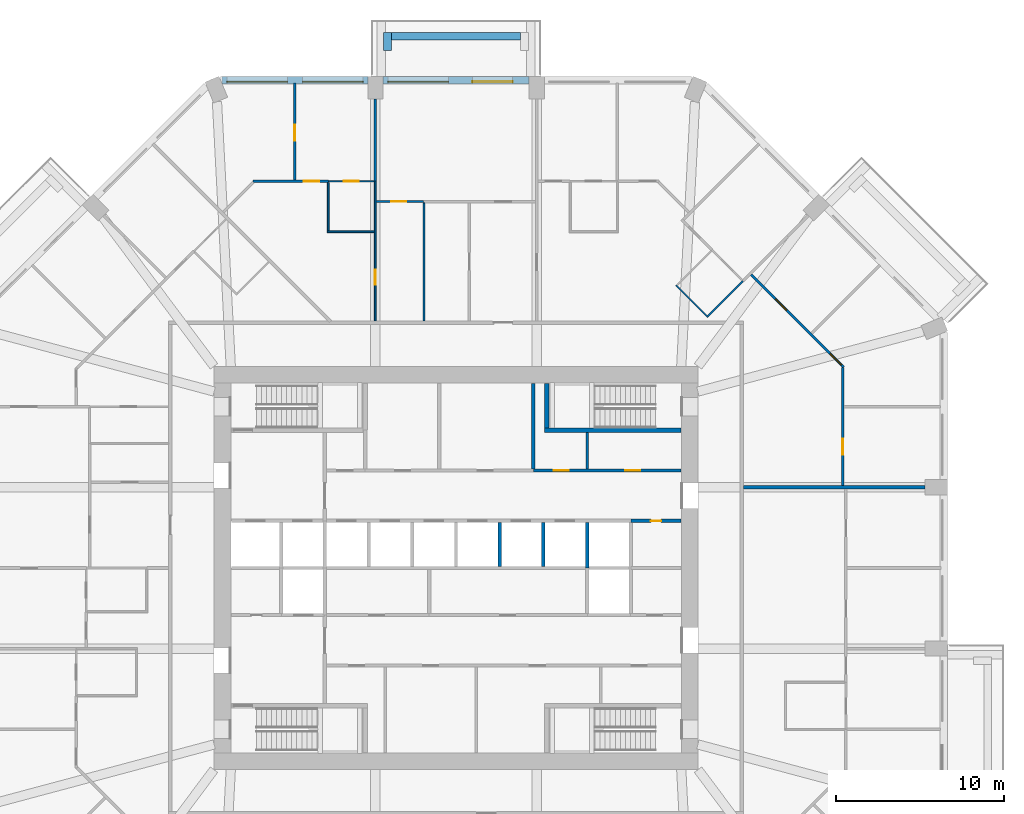
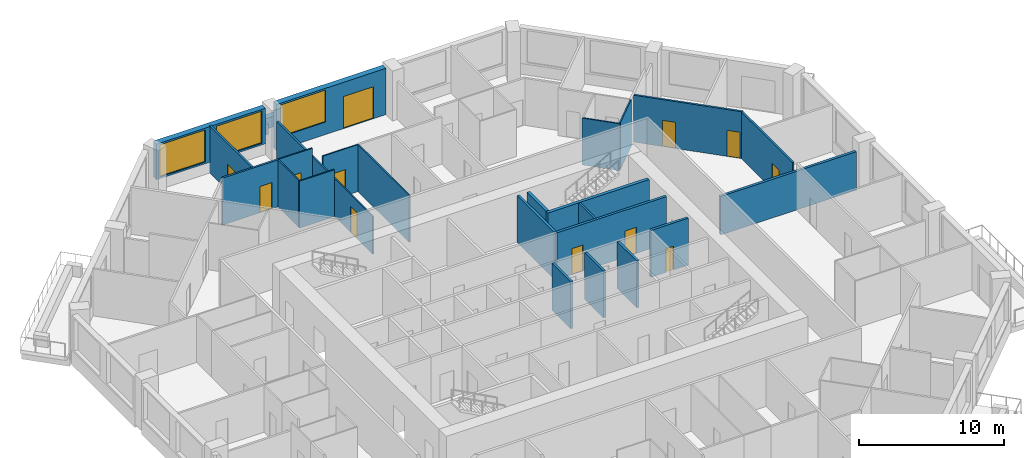
# One storey, part 9 of 13: 27 walls, 12 doors, 3 windows, 15 openings.
"""IFC4 building model written with IfcOpenShell, lengths in metres."""

from ifc_helpers import new_model, si_unit, direction, frame, frame_2d, origin, place, context, subcontext, project, spatial, rectangle, extrude, material, layer, layer_set, type_object, element, fill, save


model = new_model("IFC4")

# Units and contexts
model_context = context("Model", 3, precision=1e-05, world=origin(), true_north=direction((0.0, 1.0)))
body_context = subcontext(model_context, "Body", "Model", "MODEL_VIEW")
ifc_project = project(units=[si_unit("LENGTHUNIT", "METRE"), si_unit("AREAUNIT", "SQUARE_METRE"), si_unit("VOLUMEUNIT", "CUBIC_METRE"), si_unit("PLANEANGLEUNIT", "RADIAN"), si_unit("MASSUNIT", "GRAM", prefix="KILO")], contexts=[model_context])

# Site, building, storey
site_placement = place(None, origin())
site = spatial("IfcSite", under=ifc_project, at=site_placement, CompositionType="ELEMENT")
building_placement = place(site_placement, origin())
building = spatial("IfcBuilding", under=site, at=building_placement, Name="Msitu Wima Residences", CompositionType="ELEMENT")
storey_placement = place(building_placement, frame((0.0, 0.0, 80.10009765625)))
storey = spatial("IfcBuildingStorey", under=building, at=storey_placement, Name="L18", CompositionType="ELEMENT", Elevation=80.10009765625)

# Walls
ifc_material_1 = material(Name="Facing brick")
ifc_layer_1 = layer(ifc_material_1, 0.06494140625, Name="Facing brick")
ifc_material_2 = material(Name="Concrete C40/50", Category="concrete")
ifc_layer_2 = layer(ifc_material_2, 0.156005859375, Name="Concrete C40/50")
ifc_material_3 = material(Name="Waterproofing membrane")
ifc_layer_3 = layer(ifc_material_3, 0.00390625, Name="Waterproofing membrane")
ifc_material_4 = material(Name="Planting soil and planting")
ifc_layer_4 = layer(ifc_material_4, 0.22509765625, Name="Planting soil and planting")
ifc_layer_set_1 = layer_set([ifc_layer_1, ifc_layer_2, ifc_layer_3, ifc_layer_4], Name="Concrete C40/50")
wall_type_1 = type_object("IfcWallType", Name="Balcony planter PLANTER PL450", PredefinedType="USERDEFINED", material=ifc_layer_set_1)
wall_1_placement = place(storey_placement, frame((3.85009765625, 31.625, 0.0), z_axis=(0.0, 0.0, 1.0), x_axis=(-1.0, 0.0, 0.0)))
element("IfcWall", 1, at=wall_1_placement, inside=storey, type_object=wall_type_1, Name="Balcony planter N1 L18", ObjectType="PLANTER", PredefinedType="USERDEFINED", context=body_context, shape_type="SweptSolid", body=[
    extrude(rectangle(XDim=7.7001953125, YDim=0.449951171875, at=frame_2d((3.85009765625, 0.0))), origin(), (0.0, 0.0, 1.0), 0.89990234375),
])
wall_2_placement = place(storey_placement, frame((-4.074951171875, 30.800048828125, 0.0), z_axis=(0.0, 0.0, 1.0), x_axis=(0.0, 1.0, 0.0)))
element("IfcWall", 2, at=wall_2_placement, inside=storey, type_object=wall_type_1, Name="Balcony planter N1 L18", ObjectType="PLANTER", PredefinedType="USERDEFINED", context=body_context, shape_type="SweptSolid", body=[
    extrude(rectangle(XDim=1.050048828125, YDim=0.449951171875, at=frame_2d((0.52490234375, 0.0))), origin(), (0.0, 0.0, 1.0), 0.89990234375),
])

# Wall, openings, door, window
ifc_material_5 = material(Name="Brick (red buff mix)", Category="masonry")
ifc_layer_5 = layer(ifc_material_5, 0.449951171875)
ifc_layer_set_2 = layer_set([ifc_layer_5], Name="Brick (red buff mix)")
wall_type_2 = type_object("IfcWallType", Name="Brick infill wall BW450", PredefinedType="SOLIDWALL", material=ifc_layer_set_2)
wall_3_placement = place(storey_placement, frame((4.35009765625, 29.02490234375, 0.0), z_axis=(0.0, 0.0, 1.0), x_axis=(-1.0, 0.0, 0.0)))
wall_3 = element("IfcWall", 3, at=wall_3_placement, inside=storey, type_object=wall_type_2, Name="Brick infill wall L18 N1", PredefinedType="SOLIDWALL", context=body_context, shape_type="SweptSolid", body=[
    extrude(rectangle(XDim=8.7001953125, YDim=0.449951171875, at=frame_2d((4.35009765625, 0.0))), origin(), (0.0, 0.0, 1.0), 3.89990234375),
])
opening_1_placement = place(wall_3_placement, frame((0.97509765625, 0.0, 0.0)))
opening_1 = element("IfcOpeningElement", 4, at=opening_1_placement, cuts=wall_3, Name="Opening D18-20.002", PredefinedType="OPENING", context=body_context, shape_type="SweptSolid", body=[
    extrude(rectangle(XDim=2.39990234375, YDim=2.699951171875, at=frame_2d((1.199951171875, 1.35009765625))), frame((0.0, 0.23486328125, 0.0), z_axis=(0.0, -1.0, 0.0), x_axis=(1.0, 0.0, 0.0)), (0.0, 0.0, 1.0), 0.469970703125),
])
opening_2_placement = place(wall_3_placement, frame((4.800048828125, 0.0, 1.050048828125)))
opening_2 = element("IfcOpeningElement", 5, at=opening_2_placement, cuts=wall_3, Name="Opening W18-20.008", PredefinedType="OPENING", context=body_context, shape_type="SweptSolid", body=[
    extrude(rectangle(XDim=3.60009765625, YDim=2.699951171875, at=frame_2d((1.800048828125, 1.35009765625))), frame((0.0, 0.23486328125, 0.0), z_axis=(0.0, -1.0, 0.0), x_axis=(1.0, 0.0, 0.0)), (0.0, 0.0, 1.0), 0.469970703125),
])
ifc_material_6 = material(Name="Anodised aluminium, bronze finish, clear low-emissivity double glazing", Category="aluminium")
door_type_1 = type_object("IfcDoorType", Name="Balcony door D2400x2700", OperationType="SLIDING_TO_LEFT", PredefinedType="DOOR", material=ifc_material_6)
door_1_placement = place(opening_1_placement, origin())
door_1 = element("IfcDoor", 6, at=door_1_placement, inside=storey, type_object=door_type_1, Name="Balcony door L18 N1", OperationType="SINGLE_SWING_LEFT", OverallHeight=2.699951171875, OverallWidth=2.39990234375, PredefinedType="DOOR", context=body_context, shape_type="SweptSolid", body=[
    extrude(rectangle(XDim=2.39990234375, YDim=2.699951171875, at=frame_2d((1.199951171875, 1.35009765625))), frame((0.0, 0.1298828125, 0.0), z_axis=(0.0, -1.0, 0.0), x_axis=(1.0, 0.0, 0.0)), (0.0, 0.0, 1.0), 0.050048828125),
])
fill(opening_1, door_1)
window_type = type_object("IfcWindowType", Name="Window W3600x2700", PartitioningType="DOUBLE_PANEL_VERTICAL", PredefinedType="WINDOW", material=ifc_material_6)
window_1_placement = place(opening_2_placement, origin())
window_1 = element("IfcWindow", 7, at=window_1_placement, inside=storey, type_object=window_type, Name="Window L18 N1.2", OverallHeight=2.699951171875, OverallWidth=3.60009765625, PartitioningType="SINGLE_PANEL", PredefinedType="WINDOW", context=body_context, shape_type="SweptSolid", body=[
    extrude(rectangle(XDim=3.60009765625, YDim=2.699951171875, at=frame_2d((1.800048828125, 1.35009765625))), frame((0.0, 0.135009765625, 0.0), z_axis=(0.0, -1.0, 0.0), x_axis=(1.0, 0.0, 0.0)), (0.0, 0.0, 1.0), 0.06005859375),
])
fill(opening_2, window_1)

# Wall, openings, windows
wall_4_placement = place(storey_placement, frame((-5.25, 29.02490234375, 0.89990234375), z_axis=(0.0, 0.0, 1.0), x_axis=(-1.0, 0.0, 0.0)))
wall_4 = element("IfcWall", 8, at=wall_4_placement, inside=storey, type_object=wall_type_2, Name="Brick infill wall L18 N2", PredefinedType="SOLIDWALL", context=body_context, shape_type="SweptSolid", body=[
    extrude(rectangle(XDim=8.662841796875, YDim=0.449951171875, at=frame_2d((4.33154296875, 0.0))), origin(), (0.0, 0.0, 1.0), 3.0),
])
opening_3_placement = place(wall_4_placement, frame((0.281494140625, 0.0, 0.14990234375)))
opening_3 = element("IfcOpeningElement", 9, at=opening_3_placement, cuts=wall_4, Name="Opening W18-20.009", PredefinedType="OPENING", context=body_context, shape_type="SweptSolid", body=[
    extrude(rectangle(XDim=3.60009765625, YDim=2.699951171875, at=frame_2d((1.800048828125, 1.35009765625))), frame((0.0, 0.23486328125, 0.0), z_axis=(0.0, -1.0, 0.0), x_axis=(1.0, 0.0, 0.0)), (0.0, 0.0, 1.0), 0.469970703125),
])
opening_4_placement = place(wall_4_placement, frame((4.781494140625, 0.0, 0.14990234375)))
opening_4 = element("IfcOpeningElement", 10, at=opening_4_placement, cuts=wall_4, Name="Opening W18-20.010", PredefinedType="OPENING", context=body_context, shape_type="SweptSolid", body=[
    extrude(rectangle(XDim=3.60009765625, YDim=2.699951171875, at=frame_2d((1.800048828125, 1.35009765625))), frame((0.0, 0.23486328125, 0.0), z_axis=(0.0, -1.0, 0.0), x_axis=(1.0, 0.0, 0.0)), (0.0, 0.0, 1.0), 0.469970703125),
])
window_2_placement = place(opening_3_placement, origin())
window_2 = element("IfcWindow", 11, at=window_2_placement, inside=storey, type_object=window_type, Name="Window L18 N2.1", OverallHeight=2.699951171875, OverallWidth=3.60009765625, PartitioningType="SINGLE_PANEL", PredefinedType="WINDOW", context=body_context, shape_type="SweptSolid", body=[
    extrude(rectangle(XDim=3.60009765625, YDim=2.699951171875, at=frame_2d((1.800048828125, 1.35009765625))), frame((0.0, 0.135009765625, 0.0), z_axis=(0.0, -1.0, 0.0), x_axis=(1.0, 0.0, 0.0)), (0.0, 0.0, 1.0), 0.06005859375),
])
fill(opening_3, window_2)
window_3_placement = place(opening_4_placement, origin())
window_3 = element("IfcWindow", 12, at=window_3_placement, inside=storey, type_object=window_type, Name="Window L18 N2.2", OverallHeight=2.699951171875, OverallWidth=3.60009765625, PartitioningType="SINGLE_PANEL", PredefinedType="WINDOW", context=body_context, shape_type="SweptSolid", body=[
    extrude(rectangle(XDim=3.60009765625, YDim=2.699951171875, at=frame_2d((1.800048828125, 1.35009765625))), frame((0.0, 0.135009765625, 0.0), z_axis=(0.0, -1.0, 0.0), x_axis=(1.0, 0.0, 0.0)), (0.0, 0.0, 1.0), 0.06005859375),
])
fill(opening_4, window_3)

# Wall, openings, doors
ifc_material_7 = material(Name="Plaster")
ifc_layer_6 = layer(ifc_material_7, 0.011962890625, Name="Plaster")
ifc_material_8 = material(Name="Concrete blockwork", Category="masonry")
ifc_layer_7 = layer(ifc_material_8, 0.176025390625, Name="Concrete blockwork")
ifc_layer_8 = layer(ifc_material_7, 0.011962890625, Name="Plaster")
ifc_layer_set_3 = layer_set([ifc_layer_6, ifc_layer_7, ifc_layer_8], Name="Concrete blockwork")
wall_type_3 = type_object("IfcWallType", Name="Corridor wall FW200", PredefinedType="PARTITIONING", material=ifc_layer_set_3)
wall_5_placement = place(storey_placement, frame((4.6201171875, 5.800048828125, 0.0), z_axis=(0.0, 0.0, 1.0), x_axis=(1.0, 0.0, 0.0)))
wall_5 = element("IfcWall", 13, at=wall_5_placement, inside=storey, type_object=wall_type_3, Name="Corridor wall", PredefinedType="PARTITIONING", context=body_context, shape_type="SweptSolid", body=[
    extrude(rectangle(XDim=8.75, YDim=0.199951171875, at=frame_2d((4.375, 0.0))), origin(), (0.0, 0.0, 1.0), 3.949951171875),
])
opening_5_placement = place(wall_5_placement, frame((1.199951171875, 0.0, 0.0)))
opening_5 = element("IfcOpeningElement", 14, at=opening_5_placement, cuts=wall_5, Name="Opening D18-20.019", PredefinedType="OPENING", context=body_context, shape_type="SweptSolid", body=[
    extrude(rectangle(XDim=0.89990234375, YDim=2.199951171875, at=frame_2d((0.449951171875, 1.10009765625))), frame((0.0, 0.10986328125, 0.0), z_axis=(0.0, -1.0, 0.0), x_axis=(1.0, 0.0, 0.0)), (0.0, 0.0, 1.0), 0.219970703125),
])
opening_6_placement = place(wall_5_placement, frame((5.449951171875, 0.0, 0.0)))
opening_6 = element("IfcOpeningElement", 15, at=opening_6_placement, cuts=wall_5, Name="Opening D18-20.020", PredefinedType="OPENING", context=body_context, shape_type="SweptSolid", body=[
    extrude(rectangle(XDim=0.89990234375, YDim=2.199951171875, at=frame_2d((0.449951171875, 1.10009765625))), frame((0.0, 0.10986328125, 0.0), z_axis=(0.0, -1.0, 0.0), x_axis=(1.0, 0.0, 0.0)), (0.0, 0.0, 1.0), 0.219970703125),
])
ifc_material_9 = material(Name="Timber flush door", Category="wood")
door_type_2 = type_object("IfcDoorType", Name="Service door D05 900x2200", OperationType="SINGLE_SWING_LEFT", PredefinedType="DOOR", material=ifc_material_9)
door_2_placement = place(opening_5_placement, origin())
door_2 = element("IfcDoor", 16, at=door_2_placement, inside=storey, type_object=door_type_2, Name="Service door", OperationType="SINGLE_SWING_RIGHT", OverallHeight=2.199951171875, OverallWidth=0.89990234375, PredefinedType="DOOR", context=body_context, shape_type="SweptSolid", body=[
    extrude(rectangle(XDim=0.89990234375, YDim=2.199951171875, at=frame_2d((0.449951171875, 1.10009765625))), frame((0.0, 0.02490234375, 0.0), z_axis=(0.0, -1.0, 0.0), x_axis=(1.0, 0.0, 0.0)), (0.0, 0.0, 1.0), 0.050048828125),
])
fill(opening_5, door_2)
door_3_placement = place(opening_6_placement, origin())
door_3 = element("IfcDoor", 17, at=door_3_placement, inside=storey, type_object=door_type_2, Name="Service door", OperationType="SINGLE_SWING_LEFT", OverallHeight=2.199951171875, OverallWidth=0.89990234375, PredefinedType="DOOR", context=body_context, shape_type="SweptSolid", body=[
    extrude(rectangle(XDim=0.89990234375, YDim=2.199951171875, at=frame_2d((0.449951171875, 1.10009765625))), frame((0.0, 0.02490234375, 0.0), z_axis=(0.0, -1.0, 0.0), x_axis=(1.0, 0.0, 0.0)), (0.0, 0.0, 1.0), 0.050048828125),
])
fill(opening_6, door_3)

# Wall, opening, door
ifc_layer_9 = layer(ifc_material_7, 0.011962890625, Name="Plaster")
ifc_layer_10 = layer(ifc_material_8, 0.1259765625, Name="Concrete blockwork")
ifc_layer_11 = layer(ifc_material_7, 0.011962890625, Name="Plaster")
ifc_layer_set_4 = layer_set([ifc_layer_9, ifc_layer_10, ifc_layer_11], Name="Concrete blockwork")
wall_type_4 = type_object("IfcWallType", Name="Partition PW150", PredefinedType="PARTITIONING", material=ifc_layer_set_4)
wall_6_placement = place(storey_placement, frame((-12.072509765625, 23.0, 0.0), z_axis=(0.0, 0.0, 1.0), x_axis=(1.0, 0.0, 0.0)))
wall_6 = element("IfcWall", 18, at=wall_6_placement, inside=storey, type_object=wall_type_4, Name="Partition", PredefinedType="PARTITIONING", context=body_context, shape_type="SweptSolid", body=[
    extrude(rectangle(XDim=4.492431640625, YDim=0.14990234375, at=frame_2d((2.24609375, 0.0))), origin(), (0.0, 0.0, 1.0), 3.949951171875),
])
opening_7_placement = place(wall_6_placement, frame((3.0, 0.0, 0.0)))
opening_7 = element("IfcOpeningElement", 19, at=opening_7_placement, cuts=wall_6, Name="Opening D18-20.042", PredefinedType="OPENING", context=body_context, shape_type="SweptSolid", body=[
    extrude(rectangle(XDim=0.949951171875, YDim=2.199951171875, at=frame_2d((0.47509765625, 1.10009765625))), frame((0.0, 0.0849609375, 0.0), z_axis=(0.0, -1.0, 0.0), x_axis=(1.0, 0.0, 0.0)), (0.0, 0.0, 1.0), 0.169921875),
])
door_type_3 = type_object("IfcDoorType", Name="Room door D12 950x2200", OperationType="SINGLE_SWING_LEFT", PredefinedType="DOOR", material=ifc_material_9)
door_4_placement = place(opening_7_placement, origin())
door_4 = element("IfcDoor", 20, at=door_4_placement, inside=storey, type_object=door_type_3, Name="Room door", OperationType="SINGLE_SWING_LEFT", OverallHeight=2.199951171875, OverallWidth=0.949951171875, PredefinedType="DOOR", context=body_context, shape_type="SweptSolid", body=[
    extrude(rectangle(XDim=0.949951171875, YDim=2.199951171875, at=frame_2d((0.47509765625, 1.10009765625))), frame((0.0, 0.02490234375, 0.0), z_axis=(0.0, -1.0, 0.0), x_axis=(1.0, 0.0, 0.0)), (0.0, 0.0, 1.0), 0.050048828125),
])
fill(opening_7, door_4)

wall_7_placement = place(storey_placement, frame((-9.60009765625, 23.074951171875, 0.0), z_axis=(0.0, 0.0, 1.0), x_axis=(0.0, 1.0, 0.0)))
wall_7 = element("IfcWall", 21, at=wall_7_placement, inside=storey, type_object=wall_type_4, Name="Partition", PredefinedType="PARTITIONING", context=body_context, shape_type="SweptSolid", body=[
    extrude(rectangle(XDim=5.780029296875, YDim=0.14990234375, at=frame_2d((2.89013671875, 0.0))), origin(), (0.0, 0.0, 1.0), 3.949951171875),
])
opening_8_placement = place(wall_7_placement, frame((2.35009765625, 0.0, 0.0)))
opening_8 = element("IfcOpeningElement", 22, at=opening_8_placement, cuts=wall_7, Name="Opening D18-20.044", PredefinedType="OPENING", context=body_context, shape_type="SweptSolid", body=[
    extrude(rectangle(XDim=0.949951171875, YDim=2.199951171875, at=frame_2d((0.47509765625, 1.10009765625))), frame((0.0, 0.0849609375, 0.0), z_axis=(0.0, -1.0, 0.0), x_axis=(1.0, 0.0, 0.0)), (0.0, 0.0, 1.0), 0.169921875),
])
door_5_placement = place(opening_8_placement, origin())
door_5 = element("IfcDoor", 23, at=door_5_placement, inside=storey, type_object=door_type_3, Name="Room door", OperationType="SINGLE_SWING_LEFT", OverallHeight=2.199951171875, OverallWidth=0.949951171875, PredefinedType="DOOR", context=body_context, shape_type="SweptSolid", body=[
    extrude(rectangle(XDim=0.949951171875, YDim=2.199951171875, at=frame_2d((0.47509765625, 1.10009765625))), frame((0.0, 0.02490234375, 0.0), z_axis=(0.0, -1.0, 0.0), x_axis=(1.0, 0.0, 0.0)), (0.0, 0.0, 1.0), 0.050048828125),
])
fill(opening_8, door_5)

# Walls
wall_8_placement = place(storey_placement, frame((-4.800048828125, 23.02001953125, 0.0), z_axis=(0.0, 0.0, 1.0), x_axis=(0.0, 1.0, 0.0)))
element("IfcWall", 24, at=wall_8_placement, inside=storey, type_object=wall_type_4, Name="Partition", PredefinedType="PARTITIONING", context=body_context, shape_type="SweptSolid", body=[
    extrude(rectangle(XDim=4.8798828125, YDim=0.14990234375, at=frame_2d((2.43994140625, 0.0))), origin(), (0.0, 0.0, 1.0), 3.199951171875),
])
wall_9_placement = place(storey_placement, frame((7.800048828125, 5.89990234375, 0.0), z_axis=(0.0, 0.0, 1.0), x_axis=(0.0, 1.0, 0.0)))
element("IfcWall", 25, at=wall_9_placement, inside=storey, type_object=wall_type_4, Name="Partition", PredefinedType="PARTITIONING", context=body_context, shape_type="SweptSolid", body=[
    extrude(rectangle(XDim=2.175048828125, YDim=0.14990234375, at=frame_2d((1.08740234375, 0.0))), origin(), (0.0, 0.0, 1.0), 3.949951171875),
])

# Wall, openings, doors
wall_10_placement = place(storey_placement, frame((17.5517578125, 17.44580078125, 0.0), z_axis=(0.0, 0.0, 1.0), x_axis=(0.707106781187, -0.707106781187, 0.0)))
wall_10 = element("IfcWall", 26, at=wall_10_placement, inside=storey, type_object=wall_type_4, Name="Partition", PredefinedType="PARTITIONING", context=body_context, shape_type="SweptSolid", body=[
    extrude(rectangle(XDim=7.77978515625, YDim=0.14990234375, at=frame_2d((3.889892578125, 0.0))), origin(), (0.0, 0.0, 1.0), 3.949951171875),
])
opening_9_placement = place(wall_10_placement, frame((2.050048828125, 0.0, 0.0)))
opening_9 = element("IfcOpeningElement", 27, at=opening_9_placement, cuts=wall_10, Name="Opening D18-20.070", PredefinedType="OPENING", context=body_context, shape_type="SweptSolid", body=[
    extrude(rectangle(XDim=0.949951171875, YDim=2.199951171875, at=frame_2d((0.47509765625, 1.10009765625))), frame((0.0, 0.0849609375, 0.0), z_axis=(0.0, -1.0, 0.0), x_axis=(1.0, 0.0, 0.0)), (0.0, 0.0, 1.0), 0.169921875),
])
opening_10_placement = place(wall_10_placement, frame((6.64990234375, 0.0, 0.0)))
opening_10 = element("IfcOpeningElement", 28, at=opening_10_placement, cuts=wall_10, Name="Opening D18-20.038", PredefinedType="OPENING", context=body_context, shape_type="SweptSolid", body=[
    extrude(rectangle(XDim=0.949951171875, YDim=2.199951171875, at=frame_2d((0.47509765625, 1.10009765625))), frame((0.0, 0.0849609375, 0.0), z_axis=(0.0, -1.0, 0.0), x_axis=(1.0, 0.0, 0.0)), (0.0, 0.0, 1.0), 0.169921875),
])
door_6_placement = place(opening_9_placement, origin())
door_6 = element("IfcDoor", 29, at=door_6_placement, inside=storey, type_object=door_type_3, Name="Room door", OperationType="SINGLE_SWING_RIGHT", OverallHeight=2.199951171875, OverallWidth=0.949951171875, PredefinedType="DOOR", context=body_context, shape_type="SweptSolid", body=[
    extrude(rectangle(XDim=0.949951171875, YDim=2.199951171875, at=frame_2d((0.47509765625, 1.10009765625))), frame((0.0, 0.02490234375, 0.0), z_axis=(0.0, -1.0, 0.0), x_axis=(1.0, 0.0, 0.0)), (0.0, 0.0, 1.0), 0.050048828125),
])
fill(opening_9, door_6)
door_7_placement = place(opening_10_placement, origin())
door_7 = element("IfcDoor", 30, at=door_7_placement, inside=storey, type_object=door_type_3, Name="Room door", OperationType="SINGLE_SWING_LEFT", OverallHeight=2.199951171875, OverallWidth=0.949951171875, PredefinedType="DOOR", context=body_context, shape_type="SweptSolid", body=[
    extrude(rectangle(XDim=0.949951171875, YDim=2.199951171875, at=frame_2d((0.47509765625, 1.10009765625))), frame((0.0, 0.02490234375, 0.0), z_axis=(0.0, -1.0, 0.0), x_axis=(1.0, 0.0, 0.0)), (0.0, 0.0, 1.0), 0.050048828125),
])
fill(opening_10, door_7)

# Wall, opening, door
wall_11_placement = place(storey_placement, frame((23.0, 4.89990234375, 0.0), z_axis=(0.0, 0.0, 1.0), x_axis=(0.0, 1.0, 0.0)))
wall_11 = element("IfcWall", 31, at=wall_11_placement, inside=storey, type_object=wall_type_4, Name="Partition", PredefinedType="PARTITIONING", context=body_context, shape_type="SweptSolid", body=[
    extrude(rectangle(XDim=7.022705078125, YDim=0.14990234375, at=frame_2d((3.51123046875, 0.0))), origin(), (0.0, 0.0, 1.0), 3.949951171875),
])
opening_11_placement = place(wall_11_placement, frame((1.85009765625, 0.0, 0.0)))
opening_11 = element("IfcOpeningElement", 32, at=opening_11_placement, cuts=wall_11, Name="Opening D18-20.059", PredefinedType="OPENING", context=body_context, shape_type="SweptSolid", body=[
    extrude(rectangle(XDim=0.949951171875, YDim=2.199951171875, at=frame_2d((0.47509765625, 1.10009765625))), frame((0.0, 0.0849609375, 0.0), z_axis=(0.0, -1.0, 0.0), x_axis=(1.0, 0.0, 0.0)), (0.0, 0.0, 1.0), 0.169921875),
])
door_8_placement = place(opening_11_placement, origin())
door_8 = element("IfcDoor", 33, at=door_8_placement, inside=storey, type_object=door_type_3, Name="Room door", OperationType="SINGLE_SWING_LEFT", OverallHeight=2.199951171875, OverallWidth=0.949951171875, PredefinedType="DOOR", context=body_context, shape_type="SweptSolid", body=[
    extrude(rectangle(XDim=0.949951171875, YDim=2.199951171875, at=frame_2d((0.47509765625, 1.10009765625))), frame((0.0, 0.02490234375, 0.0), z_axis=(0.0, -1.0, 0.0), x_axis=(1.0, 0.0, 0.0)), (0.0, 0.0, 1.0), 0.050048828125),
])
fill(opening_11, door_8)

# Walls
ifc_layer_12 = layer(ifc_material_7, 0.011962890625, Name="Plaster")
ifc_material_10 = material(Name="Dense concrete blockwork", Category="masonry")
ifc_layer_13 = layer(ifc_material_10, 0.176025390625, Name="Dense concrete blockwork")
ifc_layer_14 = layer(ifc_material_7, 0.011962890625, Name="Plaster")
ifc_layer_set_5 = layer_set([ifc_layer_12, ifc_layer_13, ifc_layer_14], Name="Dense concrete blockwork")
wall_type_5 = type_object("IfcWallType", Name="Party wall PW200", PredefinedType="PARTITIONING", material=ifc_layer_set_5)
wall_12_placement = place(storey_placement, frame((17.10009765625, 4.800048828125, 0.0), z_axis=(0.0, 0.0, 1.0), x_axis=(1.0, 0.0, 0.0)))
element("IfcWall", 34, at=wall_12_placement, inside=storey, type_object=wall_type_5, Name="Party wall", PredefinedType="PARTITIONING", context=body_context, shape_type="SweptSolid", body=[
    extrude(rectangle(XDim=10.7998046875, YDim=0.199951171875, at=frame_2d((5.39990234375, 0.0))), origin(), (0.0, 0.0, 1.0), 3.25),
])
ifc_layer_15 = layer(ifc_material_7, 0.011962890625, Name="Plaster")
ifc_material_11 = material(Name="Reinforced concrete blockwork", Category="masonry")
ifc_layer_16 = layer(ifc_material_11, 0.176025390625, Name="Reinforced concrete blockwork")
ifc_layer_17 = layer(ifc_material_7, 0.011962890625, Name="Plaster")
ifc_layer_set_6 = layer_set([ifc_layer_15, ifc_layer_16, ifc_layer_17], Name="Reinforced concrete blockwork")
wall_type_6 = type_object("IfcWallType", Name="Plant and riser wall PL200", PredefinedType="PARTITIONING", material=ifc_layer_set_6)
wall_13_placement = place(storey_placement, frame((4.60009765625, 5.89990234375, 0.0), z_axis=(0.0, 0.0, 1.0), x_axis=(0.0, 1.0, 0.0)))
element("IfcWall", 35, at=wall_13_placement, inside=storey, type_object=wall_type_6, Name="Plant and riser wall", PredefinedType="PARTITIONING", context=body_context, shape_type="SweptSolid", body=[
    extrude(rectangle(XDim=5.070068359375, YDim=0.199951171875, at=frame_2d((2.53515625, 0.0))), origin(), (0.0, 0.0, 1.0), 3.949951171875),
])

# Wall, opening, door
wall_14_placement = place(storey_placement, frame((10.39990234375, 2.800048828125, 0.0), z_axis=(0.0, 0.0, 1.0), x_axis=(1.0, 0.0, 0.0)))
wall_14 = element("IfcWall", 36, at=wall_14_placement, inside=storey, type_object=wall_type_6, Name="Plant and riser wall", PredefinedType="PARTITIONING", context=body_context, shape_type="SweptSolid", body=[
    extrude(rectangle(XDim=2.97021484375, YDim=0.199951171875, at=frame_2d((1.485107421875, 0.0))), origin(), (0.0, 0.0, 1.0), 3.949951171875),
])
opening_12_placement = place(wall_14_placement, frame((1.199951171875, 0.0, 0.0)))
opening_12 = element("IfcOpeningElement", 37, at=opening_12_placement, cuts=wall_14, Name="Opening D18-20.027", PredefinedType="OPENING", context=body_context, shape_type="SweptSolid", body=[
    extrude(rectangle(XDim=0.60009765625, YDim=2.0, at=frame_2d((0.300048828125, 1.0))), frame((0.0, 0.10986328125, 0.0), z_axis=(0.0, -1.0, 0.0), x_axis=(1.0, 0.0, 0.0)), (0.0, 0.0, 1.0), 0.219970703125),
])
ifc_material_12 = material(Name="Steel access door, fire resisting", Category="steel")
door_type_4 = type_object("IfcDoorType", Name="Riser access door D08 600x2000", OperationType="SINGLE_SWING_LEFT", PredefinedType="DOOR", material=ifc_material_12)
door_9_placement = place(opening_12_placement, origin())
door_9 = element("IfcDoor", 38, at=door_9_placement, inside=storey, type_object=door_type_4, Name="Riser access door", OperationType="SINGLE_SWING_RIGHT", OverallHeight=2.0, OverallWidth=0.60009765625, PredefinedType="DOOR", context=body_context, shape_type="SweptSolid", body=[
    extrude(rectangle(XDim=0.60009765625, YDim=2.0, at=frame_2d((0.300048828125, 1.0))), frame((0.0, 0.02490234375, 0.0), z_axis=(0.0, -1.0, 0.0), x_axis=(1.0, 0.0, 0.0)), (0.0, 0.0, 1.0), 0.050048828125),
])
fill(opening_12, door_9)

# Walls
ifc_material_13 = material(Name="Fire-rated board")
ifc_layer_18 = layer(ifc_material_13, 0.02490234375, Name="Fire-rated board")
ifc_material_14 = material(Name="Light-gauge stud framing with mineral wool")
ifc_layer_19 = layer(ifc_material_14, 0.14990234375, Name="Light-gauge stud framing with mineral wool")
ifc_layer_20 = layer(ifc_material_13, 0.02490234375, Name="Fire-rated board")
ifc_layer_set_7 = layer_set([ifc_layer_18, ifc_layer_19, ifc_layer_20], Name="Light-gauge stud framing with mineral wool")
wall_type_7 = type_object("IfcWallType", Name="Shaft wall SH200", PredefinedType="PARTITIONING", material=ifc_layer_set_7)
for number, where, z_axis, x_axis, name in (
    (39, (2.60009765625, 0.10009765625, 0.0), (0.0, 0.0, 1.0), (0.0, 1.0, 0.0), "Shaft wall"),
    (40, (5.199951171875, 0.10009765625, 0.0), (0.0, 0.0, 1.0), (0.0, 1.0, 0.0), "Shaft wall"),
):
    element("IfcWall", number, at=place(storey_placement, frame(where, z_axis=z_axis, x_axis=x_axis)), inside=storey, type_object=wall_type_7, Name=name, PredefinedType="PARTITIONING", context=body_context, shape_type="SweptSolid", body=[
        extrude(rectangle(XDim=2.599853515625, YDim=0.199951171875, at=frame_2d((1.2998046875, 0.0))), origin(), (0.0, 0.0, 1.0), 3.949951171875),
    ])
wall_15_placement = place(storey_placement, frame((7.800048828125, 0.0, 0.0), z_axis=(0.0, 0.0, 1.0), x_axis=(0.0, 1.0, 0.0)))
element("IfcWall", 41, at=wall_15_placement, inside=storey, type_object=wall_type_7, Name="Shaft wall", PredefinedType="PARTITIONING", context=body_context, shape_type="SweptSolid", body=[
    extrude(rectangle(XDim=2.699951171875, YDim=0.199951171875, at=frame_2d((1.35009765625, 0.0))), origin(), (0.0, 0.0, 1.0), 3.949951171875),
])
ifc_material_15 = material(Name="Concrete C50/60", Category="concrete")
ifc_layer_21 = layer(ifc_material_15, 0.25)
ifc_layer_set_8 = layer_set([ifc_layer_21], Name="Concrete C50/60")
wall_type_8 = type_object("IfcWallType", Name="Stair enclosure wall SW250", PredefinedType="SHEAR", material=ifc_layer_set_8)
wall_16_placement = place(storey_placement, frame((5.39990234375, 8.324951171875, 0.0), z_axis=(0.0, 0.0, 1.0), x_axis=(0.0, 1.0, 0.0)))
element("IfcWall", 42, at=wall_16_placement, inside=storey, type_object=wall_type_8, Name="Stair enclosure wall", PredefinedType="SHEAR", context=body_context, shape_type="SweptSolid", body=[
    extrude(rectangle(XDim=2.64501953125, YDim=0.25, at=frame_2d((1.322509765625, 0.0))), origin(), (0.0, 0.0, 1.0), 3.949951171875),
])
wall_17_placement = place(storey_placement, frame((5.27490234375, 8.199951171875, 0.0), z_axis=(0.0, 0.0, 1.0), x_axis=(1.0, 0.0, 0.0)))
element("IfcWall", 43, at=wall_17_placement, inside=storey, type_object=wall_type_8, Name="Stair enclosure wall", PredefinedType="SHEAR", context=body_context, shape_type="SweptSolid", body=[
    extrude(rectangle(XDim=8.09521484375, YDim=0.25, at=frame_2d((4.047607421875, 0.0))), origin(), (0.0, 0.0, 1.0), 3.949951171875),
])

# Wall, opening, door
ifc_material_16 = material(Name="Ceramic tiles")
ifc_layer_22 = layer(ifc_material_16, 0.008056640625, Name="Ceramic tiles")
ifc_material_17 = material(Name="Moisture-resistant board")
ifc_layer_23 = layer(ifc_material_17, 0.012451171875, Name="Moisture-resistant board")
ifc_layer_24 = layer(ifc_material_14, 0.06689453125, Name="Light-gauge stud framing with mineral wool")
ifc_layer_25 = layer(ifc_material_17, 0.012451171875, Name="Moisture-resistant board")
ifc_layer_set_9 = layer_set([ifc_layer_22, ifc_layer_23, ifc_layer_24, ifc_layer_25], Name="Light-gauge stud framing with mineral wool")
wall_type_9 = type_object("IfcWallType", Name="Wet wall PW100", PredefinedType="PARTITIONING", material=ifc_layer_set_9)
wall_18_placement = place(storey_placement, frame((-7.580078125, 23.0, 0.0), z_axis=(0.0, 0.0, 1.0), x_axis=(1.0, 0.0, 0.0)))
wall_18 = element("IfcWall", 44, at=wall_18_placement, inside=storey, type_object=wall_type_9, Name="Wet wall", PredefinedType="PARTITIONING", context=body_context, shape_type="SweptSolid", body=[
    extrude(rectangle(XDim=2.705078125, YDim=0.10009765625, at=frame_2d((1.3525390625, 0.0))), origin(), (0.0, 0.0, 1.0), 3.949951171875),
])
opening_13_placement = place(wall_18_placement, frame((0.89990234375, 0.0, 0.0)))
opening_13 = element("IfcOpeningElement", 45, at=opening_13_placement, cuts=wall_18, Name="Opening D18-20.043", PredefinedType="OPENING", context=body_context, shape_type="SweptSolid", body=[
    extrude(rectangle(XDim=0.89990234375, YDim=2.199951171875, at=frame_2d((0.449951171875, 1.10009765625))), frame((0.0, 0.06005859375, 0.0), z_axis=(0.0, -1.0, 0.0), x_axis=(1.0, 0.0, 0.0)), (0.0, 0.0, 1.0), 0.1201171875),
])
ifc_material_18 = material(Name="Timber flush door, moisture resistant", Category="wood")
door_type_5 = type_object("IfcDoorType", Name="Bathroom door D03 900x2200", OperationType="SINGLE_SWING_LEFT", PredefinedType="DOOR", material=ifc_material_18)
door_10_placement = place(opening_13_placement, origin())
door_10 = element("IfcDoor", 46, at=door_10_placement, inside=storey, type_object=door_type_5, Name="Bathroom door", OperationType="SINGLE_SWING_RIGHT", OverallHeight=2.199951171875, OverallWidth=0.89990234375, PredefinedType="DOOR", context=body_context, shape_type="SweptSolid", body=[
    extrude(rectangle(XDim=0.89990234375, YDim=2.199951171875, at=frame_2d((0.449951171875, 1.10009765625))), frame((0.0, 0.02490234375, 0.0), z_axis=(0.0, -1.0, 0.0), x_axis=(1.0, 0.0, 0.0)), (0.0, 0.0, 1.0), 0.050048828125),
])
fill(opening_13, door_10)

# Walls
wall_19_placement = place(storey_placement, frame((-7.60009765625, 20.050048828125, 0.0), z_axis=(0.0, 0.0, 1.0), x_axis=(0.0, 1.0, 0.0)))
element("IfcWall", 47, at=wall_19_placement, inside=storey, type_object=wall_type_9, Name="Wet wall", PredefinedType="PARTITIONING", context=body_context, shape_type="SweptSolid", body=[
    extrude(rectangle(XDim=2.875, YDim=0.10009765625, at=frame_2d((1.4375, 0.0))), origin(), (0.0, 0.0, 1.0), 3.949951171875),
])
wall_20_placement = place(storey_placement, frame((-7.64990234375, 20.0, 0.0), z_axis=(0.0, 0.0, 1.0), x_axis=(1.0, 0.0, 0.0)))
element("IfcWall", 48, at=wall_20_placement, inside=storey, type_object=wall_type_9, Name="Wet wall", PredefinedType="PARTITIONING", context=body_context, shape_type="SweptSolid", body=[
    extrude(rectangle(XDim=2.7998046875, YDim=0.10009765625, at=frame_2d((1.39990234375, 0.0))), origin(), (0.0, 0.0, 1.0), 3.949951171875),
])

# Wall, opening, door
wall_21_placement = place(storey_placement, frame((-4.800048828125, 14.699951171875, 0.0), z_axis=(0.0, 0.0, 1.0), x_axis=(0.0, 1.0, 0.0)))
wall_21 = element("IfcWall", 49, at=wall_21_placement, inside=storey, type_object=wall_type_9, Name="Wet wall", PredefinedType="PARTITIONING", context=body_context, shape_type="SweptSolid", body=[
    extrude(rectangle(XDim=8.320068359375, YDim=0.10009765625, at=frame_2d((4.16015625, 0.0))), origin(), (0.0, 0.0, 1.0), 3.199951171875),
])
opening_14_placement = place(wall_21_placement, frame((2.14990234375, 0.0, 0.0)))
opening_14 = element("IfcOpeningElement", 50, at=opening_14_placement, cuts=wall_21, Name="Opening D18-20.041", PredefinedType="OPENING", context=body_context, shape_type="SweptSolid", body=[
    extrude(rectangle(XDim=0.89990234375, YDim=2.199951171875, at=frame_2d((0.449951171875, 1.10009765625))), frame((0.0, 0.06005859375, 0.0), z_axis=(0.0, -1.0, 0.0), x_axis=(1.0, 0.0, 0.0)), (0.0, 0.0, 1.0), 0.1201171875),
])
door_11_placement = place(opening_14_placement, origin())
door_11 = element("IfcDoor", 51, at=door_11_placement, inside=storey, type_object=door_type_5, Name="Bathroom door", OperationType="SINGLE_SWING_RIGHT", OverallHeight=2.199951171875, OverallWidth=0.89990234375, PredefinedType="DOOR", context=body_context, shape_type="SweptSolid", body=[
    extrude(rectangle(XDim=0.89990234375, YDim=2.199951171875, at=frame_2d((0.449951171875, 1.10009765625))), frame((0.0, 0.02490234375, 0.0), z_axis=(0.0, -1.0, 0.0), x_axis=(1.0, 0.0, 0.0)), (0.0, 0.0, 1.0), 0.050048828125),
])
fill(opening_14, door_11)

wall_22_placement = place(storey_placement, frame((-4.75, 21.800048828125, 0.0), z_axis=(0.0, 0.0, 1.0), x_axis=(1.0, 0.0, 0.0)))
wall_22 = element("IfcWall", 52, at=wall_22_placement, inside=storey, type_object=wall_type_9, Name="Wet wall", PredefinedType="PARTITIONING", context=body_context, shape_type="SweptSolid", body=[
    extrude(rectangle(XDim=2.830078125, YDim=0.10009765625, at=frame_2d((1.4150390625, 0.0))), origin(), (0.0, 0.0, 1.0), 3.949951171875),
])
opening_15_placement = place(wall_22_placement, frame((0.89990234375, 0.0, 0.0)))
opening_15 = element("IfcOpeningElement", 53, at=opening_15_placement, cuts=wall_22, Name="Opening D18-20.040", PredefinedType="OPENING", context=body_context, shape_type="SweptSolid", body=[
    extrude(rectangle(XDim=0.89990234375, YDim=2.199951171875, at=frame_2d((0.449951171875, 1.10009765625))), frame((0.0, 0.06005859375, 0.0), z_axis=(0.0, -1.0, 0.0), x_axis=(1.0, 0.0, 0.0)), (0.0, 0.0, 1.0), 0.1201171875),
])
door_12_placement = place(opening_15_placement, origin())
door_12 = element("IfcDoor", 54, at=door_12_placement, inside=storey, type_object=door_type_5, Name="Bathroom door", OperationType="SINGLE_SWING_RIGHT", OverallHeight=2.199951171875, OverallWidth=0.89990234375, PredefinedType="DOOR", context=body_context, shape_type="SweptSolid", body=[
    extrude(rectangle(XDim=0.89990234375, YDim=2.199951171875, at=frame_2d((0.449951171875, 1.10009765625))), frame((0.0, 0.02490234375, 0.0), z_axis=(0.0, -1.0, 0.0), x_axis=(1.0, 0.0, 0.0)), (0.0, 0.0, 1.0), 0.050048828125),
])
fill(opening_15, door_12)

# Walls
wall_23_placement = place(storey_placement, frame((-1.89990234375, 14.699951171875, 0.0), z_axis=(0.0, 0.0, 1.0), x_axis=(0.0, 1.0, 0.0)))
element("IfcWall", 55, at=wall_23_placement, inside=storey, type_object=wall_type_9, Name="Wet wall", PredefinedType="PARTITIONING", context=body_context, shape_type="SweptSolid", body=[
    extrude(rectangle(XDim=7.025146484375, YDim=0.10009765625, at=frame_2d((3.5126953125, 0.0))), origin(), (0.0, 0.0, 1.0), 3.949951171875),
])
wall_24_placement = place(storey_placement, frame((13.079345703125, 16.8271484375, 0.0), z_axis=(0.0, 0.0, 1.0), x_axis=(0.707061571201, -0.707151988282, 0.0)))
element("IfcWall", 56, at=wall_24_placement, inside=storey, type_object=wall_type_9, Name="Wet wall", PredefinedType="PARTITIONING", context=body_context, shape_type="SweptSolid", body=[
    extrude(rectangle(XDim=2.7001953125, YDim=0.10009765625, at=frame_2d((1.35009765625, 0.0))), origin(), (0.0, 0.0, 1.0), 3.949951171875),
])
wall_25_placement = place(storey_placement, frame((14.988525390625, 14.988525390625, 0.0), z_axis=(0.0, 0.0, 1.0), x_axis=(0.707106781187, 0.707106781187, 0.0)))
element("IfcWall", 57, at=wall_25_placement, inside=storey, type_object=wall_type_9, Name="Wet wall", PredefinedType="PARTITIONING", context=body_context, shape_type="SweptSolid", body=[
    extrude(rectangle(XDim=2.929931640625, YDim=0.10009765625, at=frame_2d((1.46484375, 0.0))), origin(), (0.0, 0.0, 1.0), 3.949951171875),
])

save(model, "model.ifc")
